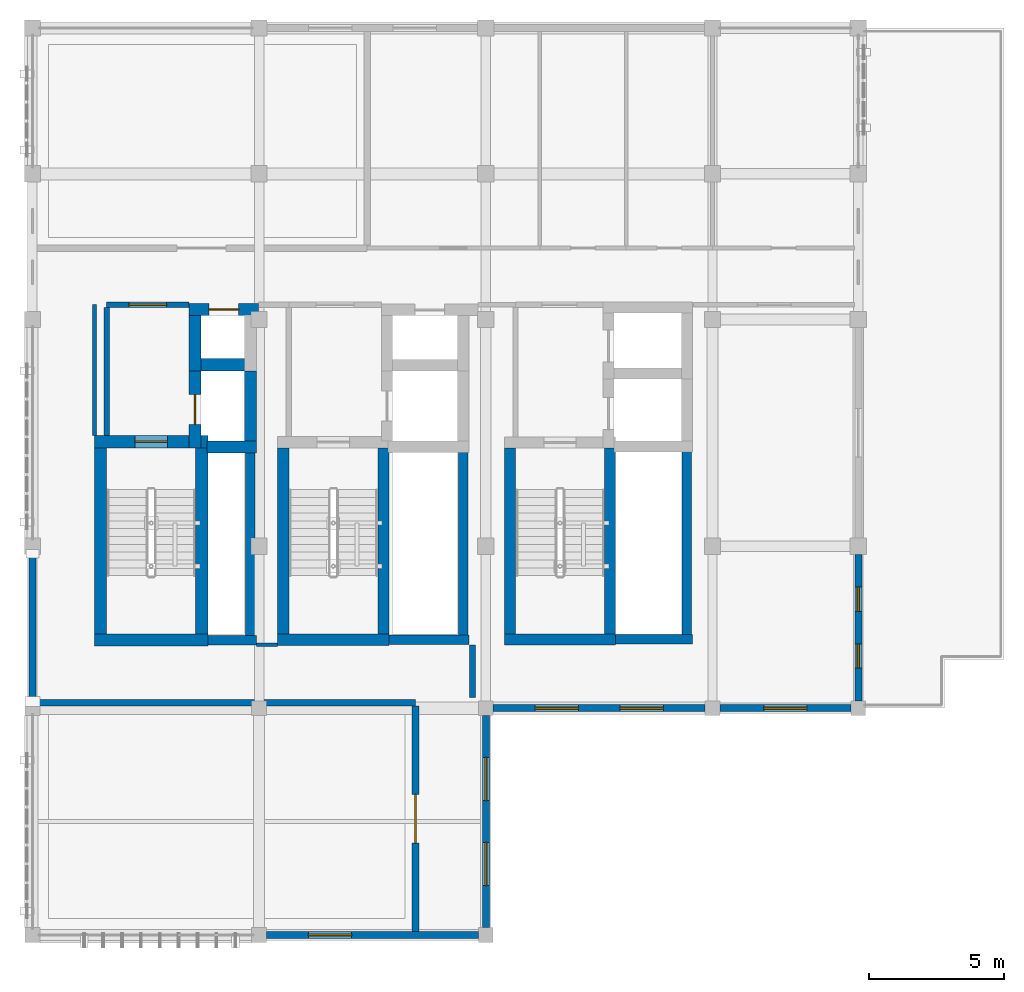
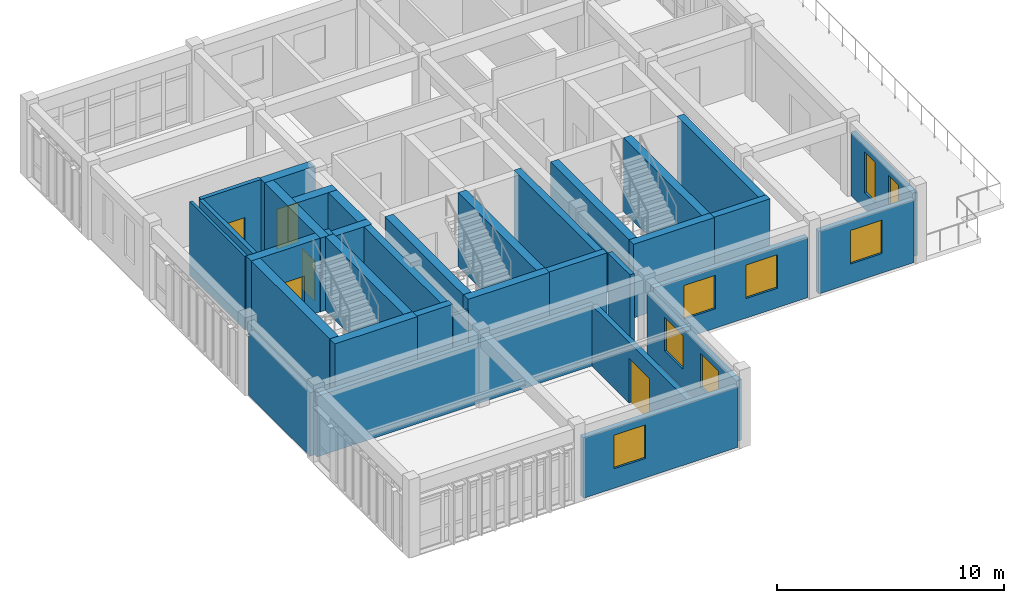
# One storey, part 17 of 21: 35 walls, 8 windows, 5 doors, 13 openings.
"""IFC4 building model written with IfcOpenShell, lengths in metres."""

from ifc_helpers import new_model, si_unit, direction, frame, frame_2d, origin, place, context, subcontext, project, spatial, rectangle, extrude, material, layer, layer_set, type_object, element, fill, save


model = new_model("IFC4")

# Units and contexts
model_context = context("Model", 3, precision=1e-05, world=origin(), true_north=direction((0.0, 1.0)))
body_context = subcontext(model_context, "Body", "Model", "MODEL_VIEW")
ifc_project = project(units=[si_unit("LENGTHUNIT", "METRE"), si_unit("AREAUNIT", "SQUARE_METRE"), si_unit("VOLUMEUNIT", "CUBIC_METRE"), si_unit("PLANEANGLEUNIT", "RADIAN"), si_unit("MASSUNIT", "GRAM", prefix="KILO")], contexts=[model_context])

# Site, building, storey
site_placement = place(None, origin())
site = spatial("IfcSite", under=ifc_project, at=site_placement, CompositionType="ELEMENT")
building_placement = place(site_placement, origin())
building = spatial("IfcBuilding", under=site, at=building_placement, Name="Krzemoval Escarpment Law Courts", CompositionType="ELEMENT")
storey_placement = place(building_placement, frame((0.0, 0.0, 37.800048828125)))
storey = spatial("IfcBuildingStorey", under=building, at=storey_placement, Name="L08", CompositionType="ELEMENT", Elevation=37.800048828125)

# Wall, opening, window
ifc_material_1 = material(Name="Precast concrete C40/50", Category="concrete")
ifc_layer_1 = layer(ifc_material_1, 0.260009765625)
ifc_layer_set_1 = layer_set([ifc_layer_1], Name="Precast concrete C40/50")
wall_type_1 = type_object("IfcWallType", Name="WL-EXT-260", PredefinedType="SOLIDWALL", material=ifc_layer_set_1)
wall_1_placement = place(storey_placement, frame((142.52490234375, 85.199951171875, 0.0), z_axis=(0.0, 0.0, 1.0), x_axis=(-1.0, 0.0, 0.0)))
wall_1 = element("IfcWall", 1, at=wall_1_placement, inside=storey, type_object=wall_type_1, Name="Exterior Wall EW-L08-0467", PredefinedType="SOLIDWALL", context=body_context, shape_type="SweptSolid", body=[
    extrude(rectangle(XDim=7.849853515625, YDim=0.260009765625, at=frame_2d((3.9248046875, 0.0))), origin(), (0.0, 0.0, 1.0), 3.260009765625),
])
opening_1_placement = place(wall_1_placement, frame((4.699951171875, 0.0, 1.050048828125)))
opening_1 = element("IfcOpeningElement", 2, at=opening_1_placement, cuts=wall_1, Name="Opening WN-L08-0546", PredefinedType="OPENING", context=body_context, shape_type="SweptSolid", body=[
    extrude(rectangle(XDim=1.60009765625, YDim=1.800048828125, at=frame_2d((0.800048828125, 0.89990234375))), frame((0.0, 0.145, 0.0), z_axis=(0.0, -1.0, 0.0), x_axis=(1.0, 0.0, 0.0)), (0.0, 0.0, 1.0), 0.29001),
])
ifc_material_2 = material(Name="Thermally Broken Aluminium Frame with Triple Low-E Acoustic Glass", Category="aluminium")
window_type_1 = type_object("IfcWindowType", Name="WN-1600x1800", PartitioningType="SINGLE_PANEL", PredefinedType="WINDOW", material=ifc_material_2)
window_1_placement = place(opening_1_placement, origin())
window_1 = element("IfcWindow", 3, at=window_1_placement, inside=storey, type_object=window_type_1, Name="Facade Window WN-L08-0546", OverallHeight=1.800048828125, OverallWidth=1.60009765625, PartitioningType="SINGLE_PANEL", PredefinedType="WINDOW", context=body_context, shape_type="SweptSolid", body=[
    extrude(rectangle(XDim=1.60009765625, YDim=1.800048828125, at=frame_2d((0.800048828125, 0.89990234375))), frame((0.0, 0.030029296875, 0.0), z_axis=(0.0, -1.0, 0.0), x_axis=(1.0, 0.0, 0.0)), (0.0, 0.0, 1.0), 0.06005859375),
])
fill(opening_1, window_1)

# Wall
wall_2_placement = place(storey_placement, frame((126.0, 93.875, 0.0), z_axis=(0.0, 0.0, 1.0), x_axis=(0.0, 1.0, 0.0)))
element("IfcWall", 4, at=wall_2_placement, inside=storey, type_object=wall_type_1, Name="Exterior Wall EW-L08-0468", PredefinedType="SOLIDWALL", context=body_context, shape_type="SweptSolid", body=[
    extrude(rectangle(XDim=5.425048828125, YDim=0.260009765625, at=frame_2d((2.71240234375, 0.0))), origin(), (0.0, 0.0, 1.0), 3.409912109375),
])

# Wall, openings, windows
wall_3_placement = place(storey_placement, frame((156.60009765625, 99.300048828125, 0.0), z_axis=(0.0, 0.0, 1.0), x_axis=(0.0, -1.0, 0.0)))
wall_3 = element("IfcWall", 5, at=wall_3_placement, inside=storey, type_object=wall_type_1, Name="Exterior Wall EW-L08-0474", PredefinedType="SOLIDWALL", context=body_context, shape_type="SweptSolid", body=[
    extrude(rectangle(XDim=5.425048828125, YDim=0.260009765625, at=frame_2d((2.71240234375, 0.0))), origin(), (0.0, 0.0, 1.0), 3.409912109375),
])
opening_2_placement = place(wall_3_placement, frame((1.2080078125, 0.0, 0.89990234375)))
opening_2 = element("IfcOpeningElement", 6, at=opening_2_placement, cuts=wall_3, Name="Opening WN-L08-0553", PredefinedType="OPENING", context=body_context, shape_type="SweptSolid", body=[
    extrude(rectangle(XDim=0.89990234375, YDim=2.199951171875, at=frame_2d((0.449951171875, 1.10009765625))), frame((0.0, 0.145, 0.0), z_axis=(0.0, -1.0, 0.0), x_axis=(1.0, 0.0, 0.0)), (0.0, 0.0, 1.0), 0.29001),
])
opening_3_placement = place(wall_3_placement, frame((3.31689453125, 0.0, 0.89990234375)))
opening_3 = element("IfcOpeningElement", 7, at=opening_3_placement, cuts=wall_3, Name="Opening WN-L08-0554", PredefinedType="OPENING", context=body_context, shape_type="SweptSolid", body=[
    extrude(rectangle(XDim=0.89990234375, YDim=2.199951171875, at=frame_2d((0.449951171875, 1.10009765625))), frame((0.0, 0.145, 0.0), z_axis=(0.0, -1.0, 0.0), x_axis=(1.0, 0.0, 0.0)), (0.0, 0.0, 1.0), 0.29001),
])
ifc_material_3 = material(Name="Thermally Broken Aluminium Frame with Triple Low-E Acoustic Glass", Category="aluminium")
window_type_2 = type_object("IfcWindowType", Name="WN-900x2200", PartitioningType="SINGLE_PANEL", PredefinedType="WINDOW", material=ifc_material_3)
window_2_placement = place(opening_2_placement, origin())
window_2 = element("IfcWindow", 8, at=window_2_placement, inside=storey, type_object=window_type_2, Name="Facade Window WN-L08-0553", OverallHeight=2.199951171875, OverallWidth=0.89990234375, PartitioningType="SINGLE_PANEL", PredefinedType="WINDOW", context=body_context, shape_type="SweptSolid", body=[
    extrude(rectangle(XDim=0.89990234375, YDim=2.199951171875, at=frame_2d((0.449951171875, 1.10009765625))), frame((0.0, 0.030029296875, 0.0), z_axis=(0.0, -1.0, 0.0), x_axis=(1.0, 0.0, 0.0)), (0.0, 0.0, 1.0), 0.06005859375),
])
fill(opening_2, window_2)
window_3_placement = place(opening_3_placement, origin())
window_3 = element("IfcWindow", 9, at=window_3_placement, inside=storey, type_object=window_type_2, Name="Facade Window WN-L08-0554", OverallHeight=2.199951171875, OverallWidth=0.89990234375, PartitioningType="SINGLE_PANEL", PredefinedType="WINDOW", context=body_context, shape_type="SweptSolid", body=[
    extrude(rectangle(XDim=0.89990234375, YDim=2.199951171875, at=frame_2d((0.449951171875, 1.10009765625))), frame((0.0, 0.030029296875, 0.0), z_axis=(0.0, -1.0, 0.0), x_axis=(1.0, 0.0, 0.0)), (0.0, 0.0, 1.0), 0.06005859375),
])
fill(opening_3, window_3)

# Wall, opening, window
wall_4_placement = place(storey_placement, frame((156.324951171875, 93.60009765625, 0.0), z_axis=(0.0, 0.0, 1.0), x_axis=(-1.0, 0.0, 0.0)))
wall_4 = element("IfcWall", 10, at=wall_4_placement, inside=storey, type_object=wall_type_1, Name="Exterior Wall EW-L08-0475", PredefinedType="SOLIDWALL", context=body_context, shape_type="SweptSolid", body=[
    extrude(rectangle(XDim=4.849853515625, YDim=0.260009765625, at=frame_2d((2.4248046875, 0.0))), origin(), (0.0, 0.0, 1.0), 3.35986328125),
])
opening_4_placement = place(wall_4_placement, frame((1.625, 0.0, 1.050048828125)))
opening_4 = element("IfcOpeningElement", 11, at=opening_4_placement, cuts=wall_4, Name="Opening WN-L08-0555", PredefinedType="OPENING", context=body_context, shape_type="SweptSolid", body=[
    extrude(rectangle(XDim=1.60009765625, YDim=1.800048828125, at=frame_2d((0.800048828125, 0.89990234375))), frame((0.0, 0.145, 0.0), z_axis=(0.0, -1.0, 0.0), x_axis=(1.0, 0.0, 0.0)), (0.0, 0.0, 1.0), 0.29001),
])
window_4_placement = place(opening_4_placement, origin())
window_4 = element("IfcWindow", 12, at=window_4_placement, inside=storey, type_object=window_type_1, Name="Facade Window WN-L08-0555", OverallHeight=1.800048828125, OverallWidth=1.60009765625, PartitioningType="SINGLE_PANEL", PredefinedType="WINDOW", context=body_context, shape_type="SweptSolid", body=[
    extrude(rectangle(XDim=1.60009765625, YDim=1.800048828125, at=frame_2d((0.800048828125, 0.89990234375))), frame((0.0, 0.030029296875, 0.0), z_axis=(0.0, -1.0, 0.0), x_axis=(1.0, 0.0, 0.0)), (0.0, 0.0, 1.0), 0.06005859375),
])
fill(opening_4, window_4)

# Wall, openings, windows
wall_5_placement = place(storey_placement, frame((150.925048828125, 93.60009765625, 0.0), z_axis=(0.0, 0.0, 1.0), x_axis=(-1.0, 0.0, 0.0)))
wall_5 = element("IfcWall", 13, at=wall_5_placement, inside=storey, type_object=wall_type_1, Name="Exterior Wall EW-L08-0476", PredefinedType="SOLIDWALL", context=body_context, shape_type="SweptSolid", body=[
    extrude(rectangle(XDim=7.85009765625, YDim=0.260009765625, at=frame_2d((3.925048828125, 0.0))), origin(), (0.0, 0.0, 1.0), 3.260009765625),
])
opening_5_placement = place(wall_5_placement, frame((1.550048828125, 0.0, 1.050048828125)))
opening_5 = element("IfcOpeningElement", 14, at=opening_5_placement, cuts=wall_5, Name="Opening WN-L08-0556", PredefinedType="OPENING", context=body_context, shape_type="SweptSolid", body=[
    extrude(rectangle(XDim=1.60009765625, YDim=1.800048828125, at=frame_2d((0.800048828125, 0.89990234375))), frame((0.0, 0.145, 0.0), z_axis=(0.0, -1.0, 0.0), x_axis=(1.0, 0.0, 0.0)), (0.0, 0.0, 1.0), 0.29001),
])
opening_6_placement = place(wall_5_placement, frame((4.699951171875, 0.0, 1.050048828125)))
opening_6 = element("IfcOpeningElement", 15, at=opening_6_placement, cuts=wall_5, Name="Opening WN-L08-0557", PredefinedType="OPENING", context=body_context, shape_type="SweptSolid", body=[
    extrude(rectangle(XDim=1.60009765625, YDim=1.800048828125, at=frame_2d((0.800048828125, 0.89990234375))), frame((0.0, 0.145, 0.0), z_axis=(0.0, -1.0, 0.0), x_axis=(1.0, 0.0, 0.0)), (0.0, 0.0, 1.0), 0.29001),
])
window_5_placement = place(opening_5_placement, origin())
window_5 = element("IfcWindow", 16, at=window_5_placement, inside=storey, type_object=window_type_1, Name="Facade Window WN-L08-0556", OverallHeight=1.800048828125, OverallWidth=1.60009765625, PartitioningType="SINGLE_PANEL", PredefinedType="WINDOW", context=body_context, shape_type="SweptSolid", body=[
    extrude(rectangle(XDim=1.60009765625, YDim=1.800048828125, at=frame_2d((0.800048828125, 0.89990234375))), frame((0.0, 0.030029296875, 0.0), z_axis=(0.0, -1.0, 0.0), x_axis=(1.0, 0.0, 0.0)), (0.0, 0.0, 1.0), 0.06005859375),
])
fill(opening_5, window_5)
window_6_placement = place(opening_6_placement, origin())
window_6 = element("IfcWindow", 17, at=window_6_placement, inside=storey, type_object=window_type_1, Name="Facade Window WN-L08-0557", OverallHeight=1.800048828125, OverallWidth=1.60009765625, PartitioningType="SINGLE_PANEL", PredefinedType="WINDOW", context=body_context, shape_type="SweptSolid", body=[
    extrude(rectangle(XDim=1.60009765625, YDim=1.800048828125, at=frame_2d((0.800048828125, 0.89990234375))), frame((0.0, 0.030029296875, 0.0), z_axis=(0.0, -1.0, 0.0), x_axis=(1.0, 0.0, 0.0)), (0.0, 0.0, 1.0), 0.06005859375),
])
fill(opening_6, window_6)

wall_6_placement = place(storey_placement, frame((142.800048828125, 93.324951171875, 0.0), z_axis=(0.0, 0.0, 1.0), x_axis=(0.0, -1.0, 0.0)))
wall_6 = element("IfcWall", 18, at=wall_6_placement, inside=storey, type_object=wall_type_1, Name="Exterior Wall EW-L08-0477", PredefinedType="SOLIDWALL", context=body_context, shape_type="SweptSolid", body=[
    extrude(rectangle(XDim=7.849853515625, YDim=0.260009765625, at=frame_2d((3.9248046875, 0.0))), origin(), (0.0, 0.0, 1.0), 3.260009765625),
])
opening_7_placement = place(wall_6_placement, frame((1.550048828125, 0.0, 1.050048828125)))
opening_7 = element("IfcOpeningElement", 19, at=opening_7_placement, cuts=wall_6, Name="Opening WN-L08-0558", PredefinedType="OPENING", context=body_context, shape_type="SweptSolid", body=[
    extrude(rectangle(XDim=1.60009765625, YDim=1.800048828125, at=frame_2d((0.800048828125, 0.89990234375))), frame((0.0, 0.145, 0.0), z_axis=(0.0, -1.0, 0.0), x_axis=(1.0, 0.0, 0.0)), (0.0, 0.0, 1.0), 0.29001),
])
opening_8_placement = place(wall_6_placement, frame((4.699951171875, 0.0, 1.050048828125)))
opening_8 = element("IfcOpeningElement", 20, at=opening_8_placement, cuts=wall_6, Name="Opening WN-L08-0559", PredefinedType="OPENING", context=body_context, shape_type="SweptSolid", body=[
    extrude(rectangle(XDim=1.60009765625, YDim=1.800048828125, at=frame_2d((0.800048828125, 0.89990234375))), frame((0.0, 0.145, 0.0), z_axis=(0.0, -1.0, 0.0), x_axis=(1.0, 0.0, 0.0)), (0.0, 0.0, 1.0), 0.29001),
])
window_7_placement = place(opening_7_placement, origin())
window_7 = element("IfcWindow", 21, at=window_7_placement, inside=storey, type_object=window_type_1, Name="Facade Window WN-L08-0558", OverallHeight=1.800048828125, OverallWidth=1.60009765625, PartitioningType="SINGLE_PANEL", PredefinedType="WINDOW", context=body_context, shape_type="SweptSolid", body=[
    extrude(rectangle(XDim=1.60009765625, YDim=1.800048828125, at=frame_2d((0.800048828125, 0.89990234375))), frame((0.0, 0.030029296875, 0.0), z_axis=(0.0, -1.0, 0.0), x_axis=(1.0, 0.0, 0.0)), (0.0, 0.0, 1.0), 0.06005859375),
])
fill(opening_7, window_7)
window_8_placement = place(opening_8_placement, origin())
window_8 = element("IfcWindow", 22, at=window_8_placement, inside=storey, type_object=window_type_1, Name="Facade Window WN-L08-0559", OverallHeight=1.800048828125, OverallWidth=1.60009765625, PartitioningType="SINGLE_PANEL", PredefinedType="WINDOW", context=body_context, shape_type="SweptSolid", body=[
    extrude(rectangle(XDim=1.60009765625, YDim=1.800048828125, at=frame_2d((0.800048828125, 0.89990234375))), frame((0.0, 0.030029296875, 0.0), z_axis=(0.0, -1.0, 0.0), x_axis=(1.0, 0.0, 0.0)), (0.0, 0.0, 1.0), 0.06005859375),
])
fill(opening_8, window_8)

# Walls
ifc_material_4 = material(Name="Sanitary Moisture-Resistant Partition", Category="gypsum")
ifc_layer_2 = layer(ifc_material_4, 0.139892578125)
ifc_layer_set_2 = layer_set([ifc_layer_2], Name="Sanitary Moisture-Resistant Partition")
wall_type_2 = type_object("IfcWallType", Name="WL-PRT-140", PredefinedType="PARTITIONING", material=ifc_layer_set_2)
wall_7_placement = place(storey_placement, frame((134.300048828125, 95.949951171875, 0.0), z_axis=(0.0, 0.0, 1.0), x_axis=(1.0, 0.0, 0.0)))
element("IfcWall", 23, at=wall_7_placement, inside=storey, type_object=wall_type_2, Name="Interior Partition PW-L08-0719", PredefinedType="PARTITIONING", context=body_context, shape_type="SweptSolid", body=[
    extrude(rectangle(XDim=0.780029296875, YDim=0.139892578125, at=frame_2d((0.39013671875, 0.0))), origin(), (0.0, 0.0, 1.0), 3.409912109375),
])
wall_8_placement = place(storey_placement, frame((128.300048828125, 103.701904296875, 0.0), z_axis=(0.0, 0.0, 1.0), x_axis=(0.0, 1.0, 0.0)))
element("IfcWall", 24, at=wall_8_placement, inside=storey, type_object=wall_type_2, Name="Interior Partition PW-L08-0731", PredefinedType="PARTITIONING", context=body_context, shape_type="SweptSolid", body=[
    extrude(rectangle(XDim=4.84814453125, YDim=0.139892578125, at=frame_2d((2.424072265625, 0.0))), origin(), (0.0, 0.0, 1.0), 3.9599609375),
])

# Wall, opening, door
ifc_material_5 = material(Name="Fire-Rated Corridor Partition Wall", Category="gypsum")
ifc_layer_3 = layer(ifc_material_5, 0.199951171875)
ifc_layer_set_3 = layer_set([ifc_layer_3], Name="Fire-Rated Corridor Partition Wall")
wall_type_3 = type_object("IfcWallType", Name="WL-PRT-200", PredefinedType="PARTITIONING", material=ifc_layer_set_3)
wall_9_placement = place(storey_placement, frame((128.75, 108.550048828125, 0.0), z_axis=(0.0, 0.0, 1.0), x_axis=(1.0, 0.0, 0.0)))
wall_9 = element("IfcWall", 25, at=wall_9_placement, inside=storey, type_object=wall_type_3, Name="Interior Partition PW-L08-0720", PredefinedType="PARTITIONING", context=body_context, shape_type="SweptSolid", body=[
    extrude(rectangle(XDim=3.050048828125, YDim=0.199951171875, at=frame_2d((1.52490234375, 0.0))), origin(), (0.0, 0.0, 1.0), 3.9599609375),
])
opening_9_placement = place(wall_9_placement, frame((0.824951171875, 0.0, 0.0)))
opening_9 = element("IfcOpeningElement", 26, at=opening_9_placement, cuts=wall_9, Name="Opening D-L08-0251", PredefinedType="OPENING", context=body_context, shape_type="SweptSolid", body=[
    extrude(rectangle(XDim=1.39990234375, YDim=2.199951171875, at=frame_2d((0.699951171875, 1.10009765625))), frame((0.0, 0.11498, 0.0), z_axis=(0.0, -1.0, 0.0), x_axis=(1.0, 0.0, 0.0)), (0.0, 0.0, 1.0), 0.22995),
])
ifc_material_6 = material(Name="Galvanised Steel S355", Category="steel")
door_type_1 = type_object("IfcDoorType", Name="DR-FFL-1400x2200", OperationType="SINGLE_SWING_LEFT", PredefinedType="DOOR", material=ifc_material_6)
door_1_placement = place(opening_9_placement, origin())
door_1 = element("IfcDoor", 27, at=door_1_placement, inside=storey, type_object=door_type_1, Name="Room Door D-L08-0251", OperationType="SINGLE_SWING_LEFT", OverallHeight=2.199951171875, OverallWidth=1.39990234375, PredefinedType="DOOR", context=body_context, shape_type="SweptSolid", body=[
    extrude(rectangle(XDim=1.39990234375, YDim=2.199951171875, at=frame_2d((0.699951171875, 1.10009765625))), frame((0.0, 0.02490234375, 0.0), z_axis=(0.0, -1.0, 0.0), x_axis=(1.0, 0.0, 0.0)), (0.0, 0.0, 1.0), 0.050048828125),
])
fill(opening_9, door_1)

# Walls
wall_10_placement = place(storey_placement, frame((128.75, 103.701904296875, 0.0), z_axis=(0.0, 0.0, 1.0), x_axis=(0.0, 1.0, 0.0)))
element("IfcWall", 28, at=wall_10_placement, inside=storey, type_object=wall_type_3, Name="Interior Partition PW-L08-0732", PredefinedType="PARTITIONING", context=body_context, shape_type="SweptSolid", body=[
    extrude(rectangle(XDim=4.74609375, YDim=0.199951171875, at=frame_2d((2.373046875, 0.0))), origin(), (0.0, 0.0, 1.0), 3.9599609375),
])
ifc_material_7 = material(Name="Solid Calcium-Silicate Custody Blockwork Partition", Category="masonry")
ifc_layer_4 = layer(ifc_material_7, 0.219970703125)
ifc_layer_set_4 = layer_set([ifc_layer_4], Name="Solid Calcium-Silicate Custody Blockwork Partition")
wall_type_4 = type_object("IfcWallType", Name="WL-PRT-220", PredefinedType="PARTITIONING", material=ifc_layer_set_4)
wall_11_placement = place(storey_placement, frame((142.300048828125, 94.0, 0.0), z_axis=(0.0, 0.0, 1.0), x_axis=(0.0, 1.0, 0.0)))
element("IfcWall", 29, at=wall_11_placement, inside=storey, type_object=wall_type_4, Name="Interior Partition PW-L08-0736", PredefinedType="PARTITIONING", context=body_context, shape_type="SweptSolid", body=[
    extrude(rectangle(XDim=1.949951171875, YDim=0.219970703125, at=frame_2d((0.97509765625, 0.0))), origin(), (0.0, 0.0, 1.0), 3.9599609375),
])
ifc_material_8 = material(Name="Acoustic Courtroom Partition Assembly", Category="gypsum")
ifc_layer_5 = layer(ifc_material_8, 0.239990234375)
ifc_layer_set_5 = layer_set([ifc_layer_5], Name="Acoustic Courtroom Partition Assembly")
wall_type_5 = type_object("IfcWallType", Name="WL-PRT-240", PredefinedType="PARTITIONING", material=ifc_layer_set_5)
wall_12_placement = place(storey_placement, frame((126.111083984375, 93.800048828125, 0.0), z_axis=(0.0, 0.0, 1.0), x_axis=(1.0, 0.0, 0.0)))
element("IfcWall", 30, at=wall_12_placement, inside=storey, type_object=wall_type_5, Name="Interior Partition PW-L08-0718", PredefinedType="PARTITIONING", context=body_context, shape_type="SweptSolid", body=[
    extrude(rectangle(XDim=14.0888671875, YDim=0.239990234375, at=frame_2d((7.04443359375, 0.0))), origin(), (0.0, 0.0, 1.0), 3.260009765625),
])

# Wall, opening, door
ifc_material_9 = material(Name="Acoustic Double-Stud Gypsum and Mineral Wool Wall", Category="gypsum")
ifc_layer_6 = layer(ifc_material_9, 0.260009765625)
ifc_layer_set_6 = layer_set([ifc_layer_6], Name="Acoustic Double-Stud Gypsum and Mineral Wool Wall")
wall_type_6 = type_object("IfcWallType", Name="WL-PRT-260", PredefinedType="PARTITIONING", material=ifc_layer_set_6)
wall_13_placement = place(storey_placement, frame((140.199951171875, 85.33203125, 0.0), z_axis=(0.0, 0.0, 1.0), x_axis=(0.0, 1.0, 0.0)))
wall_13 = element("IfcWall", 31, at=wall_13_placement, inside=storey, type_object=wall_type_6, Name="Interior Partition PW-L08-0735", PredefinedType="PARTITIONING", context=body_context, shape_type="SweptSolid", body=[
    extrude(rectangle(XDim=8.345947265625, YDim=0.260009765625, at=frame_2d((4.1728515625, 0.0))), origin(), (0.0, 0.0, 1.0), 3.260009765625),
])
opening_10_placement = place(wall_13_placement, frame((3.27294921875, 0.0, 0.0)))
opening_10 = element("IfcOpeningElement", 32, at=opening_10_placement, cuts=wall_13, Name="Opening D-L08-0254", PredefinedType="OPENING", context=body_context, shape_type="SweptSolid", body=[
    extrude(rectangle(XDim=1.800048828125, YDim=2.39990234375, at=frame_2d((0.89990234375, 1.199951171875))), frame((0.0, 0.145, 0.0), z_axis=(0.0, -1.0, 0.0), x_axis=(1.0, 0.0, 0.0)), (0.0, 0.0, 1.0), 0.29001),
])
ifc_material_10 = material(Name="Engineered Solid-Core Oak Acoustic Timber", Category="wood")
door_type_2 = type_object("IfcDoorType", Name="DR-CRT-1800x2400", OperationType="SINGLE_SWING_LEFT", PredefinedType="DOOR", material=ifc_material_10)
door_2_placement = place(opening_10_placement, origin())
door_2 = element("IfcDoor", 33, at=door_2_placement, inside=storey, type_object=door_type_2, Name="Room Door D-L08-0254", OperationType="SINGLE_SWING_LEFT", OverallHeight=2.39990234375, OverallWidth=1.800048828125, PredefinedType="DOOR", context=body_context, shape_type="SweptSolid", body=[
    extrude(rectangle(XDim=1.800048828125, YDim=2.39990234375, at=frame_2d((0.89990234375, 1.199951171875))), frame((0.0, 0.02490234375, 0.0), z_axis=(0.0, -1.0, 0.0), x_axis=(1.0, 0.0, 0.0)), (0.0, 0.0, 1.0), 0.050048828125),
])
fill(opening_10, door_2)

# Walls
ifc_material_11 = material(Name="Concrete C40/50", Category="concrete")
ifc_layer_7 = layer(ifc_material_11, 0.35009765625)
ifc_layer_set_7 = layer_set([ifc_layer_7], Name="Concrete C40/50")
wall_type_7 = type_object("IfcWallType", Name="WL-SHW-350", PredefinedType="SHEAR", material=ifc_layer_set_7)
wall_14_placement = place(storey_placement, frame((132.5, 96.125, 0.0), z_axis=(0.0, 0.0, 1.0), x_axis=(1.0, 0.0, 0.0)))
element("IfcWall", 34, at=wall_14_placement, inside=storey, type_object=wall_type_7, Name="Riser Shaft Wall SW-L08-0129", PredefinedType="SHEAR", context=body_context, shape_type="SweptSolid", body=[
    extrude(rectangle(XDim=1.800048828125, YDim=0.35009765625, at=frame_2d((0.89990234375, 0.0))), origin(), (0.0, 0.0, 1.0), 3.9599609375),
])
wall_15_placement = place(storey_placement, frame((134.074951171875, 96.294921875, 0.0), z_axis=(0.0, 0.0, 1.0), x_axis=(0.0, 1.0, 0.0)))
element("IfcWall", 35, at=wall_15_placement, inside=storey, type_object=wall_type_7, Name="Riser Shaft Wall SW-L08-0130", PredefinedType="SHEAR", context=body_context, shape_type="SweptSolid", body=[
    extrude(rectangle(XDim=7.212158203125, YDim=0.35009765625, at=frame_2d((3.60595703125, 0.0))), origin(), (0.0, 0.0, 1.0), 3.9599609375),
])
wall_16_placement = place(storey_placement, frame((139.219970703125, 96.139892578125, 0.0), z_axis=(0.0, 0.0, 1.0), x_axis=(1.0, 0.0, 0.0)))
element("IfcWall", 36, at=wall_16_placement, inside=storey, type_object=wall_type_7, Name="Riser Shaft Wall SW-L08-0279", PredefinedType="SHEAR", context=body_context, shape_type="SweptSolid", body=[
    extrude(rectangle(XDim=2.949951171875, YDim=0.35009765625, at=frame_2d((1.47509765625, 0.0))), origin(), (0.0, 0.0, 1.0), 3.9599609375),
])
wall_17_placement = place(storey_placement, frame((141.9599609375, 96.31005859375, 0.0), z_axis=(0.0, 0.0, 1.0), x_axis=(0.0, 1.0, 0.0)))
element("IfcWall", 37, at=wall_17_placement, inside=storey, type_object=wall_type_7, Name="Riser Shaft Wall SW-L08-0280", PredefinedType="SHEAR", context=body_context, shape_type="SweptSolid", body=[
    extrude(rectangle(XDim=7.197021484375, YDim=0.35009765625, at=frame_2d((3.5986328125, 0.0))), origin(), (0.0, 0.0, 1.0), 3.9599609375),
])
wall_18_placement = place(storey_placement, frame((147.60009765625, 96.14990234375, 0.0), z_axis=(0.0, 0.0, 1.0), x_axis=(1.0, 0.0, 0.0)))
element("IfcWall", 38, at=wall_18_placement, inside=storey, type_object=wall_type_7, Name="Riser Shaft Wall SW-L08-0429", PredefinedType="SHEAR", context=body_context, shape_type="SweptSolid", body=[
    extrude(rectangle(XDim=2.849853515625, YDim=0.35009765625, at=frame_2d((1.4248046875, 0.0))), origin(), (0.0, 0.0, 1.0), 3.9599609375),
])
wall_19_placement = place(storey_placement, frame((150.25, 96.320068359375, 0.0), z_axis=(0.0, 0.0, 1.0), x_axis=(0.0, 1.0, 0.0)))
element("IfcWall", 39, at=wall_19_placement, inside=storey, type_object=wall_type_7, Name="Riser Shaft Wall SW-L08-0430", PredefinedType="SHEAR", context=body_context, shape_type="SweptSolid", body=[
    extrude(rectangle(XDim=7.18701171875, YDim=0.35009765625, at=frame_2d((3.593505859375, 0.0))), origin(), (0.0, 0.0, 1.0), 3.9599609375),
])
ifc_material_12 = material(Name="Concrete C40/50", Category="concrete")
ifc_layer_8 = layer(ifc_material_12, 0.39990234375)
ifc_layer_set_8 = layer_set([ifc_layer_8], Name="Concrete C40/50")
wall_type_8 = type_object("IfcWallType", Name="WL-SHW-400", PredefinedType="SHEAR", material=ifc_layer_set_8)
wall_20_placement = place(storey_placement, frame((143.5, 96.14990234375, 0.0), z_axis=(0.0, 0.0, 1.0), x_axis=(1.0, 0.0, 0.0)))
element("IfcWall", 40, at=wall_20_placement, inside=storey, type_object=wall_type_8, Name="Core Stair Shear Wall SW-L08-0419", PredefinedType="SHEAR", context=body_context, shape_type="SweptSolid", body=[
    extrude(rectangle(XDim=4.10009765625, YDim=0.39990234375, at=frame_2d((2.050048828125, 0.0))), origin(), (0.0, 0.0, 1.0), 3.9599609375),
])
for number, where, z_axis, x_axis, name in (
    (41, (143.699951171875, 96.35205078125, 0.0), (0.0, 0.0, 1.0), (0.0, 1.0, 0.0), "Core Stair Shear Wall SW-L08-0420"),
    (42, (147.39990234375, 96.35205078125, 0.0), (0.0, 0.0, 1.0), (0.0, 1.0, 0.0), "Core Stair Shear Wall SW-L08-0421"),
):
    element("IfcWall", number, at=place(storey_placement, frame(where, z_axis=z_axis, x_axis=x_axis)), inside=storey, type_object=wall_type_8, Name=name, PredefinedType="SHEAR", context=body_context, shape_type="SweptSolid", body=[
        extrude(rectangle(XDim=6.89599609375, YDim=0.39990234375, at=frame_2d((3.447998046875, 0.0))), origin(), (0.0, 0.0, 1.0), 3.9599609375),
    ])
ifc_material_13 = material(Name="Concrete C40/50", Category="concrete")
ifc_layer_9 = layer(ifc_material_13, 0.419921875)
ifc_layer_set_9 = layer_set([ifc_layer_9], Name="Concrete C40/50")
wall_type_9 = type_object("IfcWallType", Name="WL-SHW-420", PredefinedType="SHEAR", material=ifc_layer_set_9)
wall_21_placement = place(storey_placement, frame((135.080078125, 96.139892578125, 0.0), z_axis=(0.0, 0.0, 1.0), x_axis=(1.0, 0.0, 0.0)))
element("IfcWall", 43, at=wall_21_placement, inside=storey, type_object=wall_type_9, Name="Core Stair Shear Wall SW-L08-0269", PredefinedType="SHEAR", context=body_context, shape_type="SweptSolid", body=[
    extrude(rectangle(XDim=4.139892578125, YDim=0.419921875, at=frame_2d((2.06982421875, 0.0))), origin(), (0.0, 0.0, 1.0), 3.9599609375),
])
for number, where, z_axis, x_axis, name in (
    (44, (135.2900390625, 96.35205078125, 0.0), (0.0, 0.0, 1.0), (0.0, 1.0, 0.0), "Core Stair Shear Wall SW-L08-0270"),
    (45, (139.010009765625, 96.35205078125, 0.0), (0.0, 0.0, 1.0), (0.0, 1.0, 0.0), "Core Stair Shear Wall SW-L08-0271"),
):
    element("IfcWall", number, at=place(storey_placement, frame(where, z_axis=z_axis, x_axis=x_axis)), inside=storey, type_object=wall_type_9, Name=name, PredefinedType="SHEAR", context=body_context, shape_type="SweptSolid", body=[
        extrude(rectangle(XDim=6.89599609375, YDim=0.419921875, at=frame_2d((3.447998046875, 0.0))), origin(), (0.0, 0.0, 1.0), 3.9599609375),
    ])

# Wall, opening, door
ifc_material_14 = material(Name="Concrete C40/50", Category="concrete")
ifc_layer_10 = layer(ifc_material_14, 0.449951171875)
ifc_layer_set_10 = layer_set([ifc_layer_10], Name="Concrete C40/50")
wall_type_10 = type_object("IfcWallType", Name="WL-SHW-450", PredefinedType="SHEAR", material=ifc_layer_set_10)
wall_22_placement = place(storey_placement, frame((128.300048828125, 103.47509765625, 0.0), z_axis=(0.0, 0.0, 1.0), x_axis=(1.0, 0.0, 0.0)))
wall_22 = element("IfcWall", 46, at=wall_22_placement, inside=storey, type_object=wall_type_10, Name="Core Stair Shear Wall SW-L08-0118", PredefinedType="SHEAR", context=body_context, shape_type="SweptSolid", body=[
    extrude(rectangle(XDim=4.199951171875, YDim=0.449951171875, at=frame_2d((2.10009765625, 0.0))), origin(), (0.0, 0.0, 1.0), 3.9599609375),
])
opening_11_placement = place(wall_22_placement, frame((1.5, 0.0, 0.0)))
opening_11 = element("IfcOpeningElement", 47, at=opening_11_placement, cuts=wall_22, Name="Opening SD-ST1-L08", PredefinedType="OPENING", context=body_context, shape_type="SweptSolid", body=[
    extrude(rectangle(XDim=1.199951171875, YDim=2.199951171875, at=frame_2d((0.60009765625, 1.10009765625))), frame((0.0, 0.23998, 0.0), z_axis=(0.0, -1.0, 0.0), x_axis=(1.0, 0.0, 0.0)), (0.0, 0.0, 1.0), 0.47995),
])
ifc_material_15 = material(Name="Galvanised Steel S355", Category="steel")
door_type_3 = type_object("IfcDoorType", Name="DR-STR-1200x2200", OperationType="SINGLE_SWING_LEFT", PredefinedType="DOOR", material=ifc_material_15)
door_3_placement = place(opening_11_placement, origin())
door_3 = element("IfcDoor", 48, at=door_3_placement, inside=storey, type_object=door_type_3, Name="Stair Exit Door SD-ST1-L08", OperationType="SINGLE_SWING_LEFT", OverallHeight=2.199951171875, OverallWidth=1.199951171875, PredefinedType="DOOR", context=body_context, shape_type="SweptSolid", body=[
    extrude(rectangle(XDim=1.199951171875, YDim=2.199951171875, at=frame_2d((0.60009765625, 1.10009765625))), frame((0.0, 0.02490234375, 0.0), z_axis=(0.0, -1.0, 0.0), x_axis=(1.0, 0.0, 0.0)), (0.0, 0.0, 1.0), 0.050048828125),
])
fill(opening_11, door_3)

# Walls
wall_23_placement = place(storey_placement, frame((128.300048828125, 96.125, 0.0), z_axis=(0.0, 0.0, 1.0), x_axis=(1.0, 0.0, 0.0)))
element("IfcWall", 49, at=wall_23_placement, inside=storey, type_object=wall_type_10, Name="Core Stair Shear Wall SW-L08-0119", PredefinedType="SHEAR", context=body_context, shape_type="SweptSolid", body=[
    extrude(rectangle(XDim=4.199951171875, YDim=0.449951171875, at=frame_2d((2.10009765625, 0.0))), origin(), (0.0, 0.0, 1.0), 3.9599609375),
])
for number, where, z_axis, x_axis, name in (
    (50, (128.52490234375, 96.35205078125, 0.0), (0.0, 0.0, 1.0), (0.0, 1.0, 0.0), "Core Stair Shear Wall SW-L08-0120"),
    (51, (132.27490234375, 96.35205078125, 0.0), (0.0, 0.0, 1.0), (0.0, 1.0, 0.0), "Core Stair Shear Wall SW-L08-0121"),
):
    element("IfcWall", number, at=place(storey_placement, frame(where, z_axis=z_axis, x_axis=x_axis)), inside=storey, type_object=wall_type_10, Name=name, PredefinedType="SHEAR", context=body_context, shape_type="SweptSolid", body=[
        extrude(rectangle(XDim=6.89599609375, YDim=0.449951171875, at=frame_2d((3.447998046875, 0.0))), origin(), (0.0, 0.0, 1.0), 3.9599609375),
    ])
wall_24_placement = place(storey_placement, frame((132.468017578125, 103.27490234375, 0.0), z_axis=(0.0, 0.0, 1.0), x_axis=(1.0, 0.0, 0.0)))
element("IfcWall", 52, at=wall_24_placement, inside=storey, type_object=wall_type_10, Name="Lift Shaft Shear Wall SW-L08-0122", PredefinedType="SHEAR", context=body_context, shape_type="SweptSolid", body=[
    extrude(rectangle(XDim=1.83203125, YDim=0.449951171875, at=frame_2d((0.916015625, 0.0))), origin(), (0.0, 0.0, 1.0), 3.9599609375),
])
wall_25_placement = place(storey_placement, frame((131.800048828125, 106.324951171875, 0.0), z_axis=(0.0, 0.0, 1.0), x_axis=(1.0, 0.0, 0.0)))
element("IfcWall", 53, at=wall_25_placement, inside=storey, type_object=wall_type_10, Name="Lift Shaft Shear Wall SW-L08-0123", PredefinedType="SHEAR", context=body_context, shape_type="SweptSolid", body=[
    extrude(rectangle(XDim=2.5, YDim=0.449951171875, at=frame_2d((1.25, 0.0))), origin(), (0.0, 0.0, 1.0), 3.9599609375),
])

# Wall, opening, door
wall_26_placement = place(storey_placement, frame((132.02490234375, 103.241943359375, 0.0), z_axis=(0.0, 0.0, 1.0), x_axis=(0.0, 1.0, 0.0)))
wall_26 = element("IfcWall", 54, at=wall_26_placement, inside=storey, type_object=wall_type_10, Name="Lift Shaft Shear Wall SW-L08-0124", PredefinedType="SHEAR", context=body_context, shape_type="SweptSolid", body=[
    extrude(rectangle(XDim=2.85595703125, YDim=0.449951171875, at=frame_2d((1.427978515625, 0.0))), origin(), (0.0, 0.0, 1.0), 3.9599609375),
])
opening_12_placement = place(wall_26_placement, frame((0.8779296875, 0.0, 0.0)))
opening_12 = element("IfcOpeningElement", 55, at=opening_12_placement, cuts=wall_26, Name="Opening LD-FL1-L08", PredefinedType="OPENING", context=body_context, shape_type="SweptSolid", body=[
    extrude(rectangle(XDim=1.10009765625, YDim=2.14990234375, at=frame_2d((0.550048828125, 1.074951171875))), frame((0.0, 0.23998, 0.0), z_axis=(0.0, -1.0, 0.0), x_axis=(1.0, 0.0, 0.0)), (0.0, 0.0, 1.0), 0.47995),
])
ifc_material_16 = material(Name="Stainless Steel Grade 304", Category="steel")
door_type_4 = type_object("IfcDoorType", Name="DR-LFT-1100x2150", OperationType="SINGLE_SWING_LEFT", PredefinedType="DOOR", material=ifc_material_16)
door_4_placement = place(opening_12_placement, origin())
door_4 = element("IfcDoor", 56, at=door_4_placement, inside=storey, type_object=door_type_4, Name="Lift Landing Door LD-FL1-L08", OperationType="DOUBLE_DOOR_SLIDING", OverallHeight=2.14990234375, OverallWidth=1.10009765625, PredefinedType="DOOR", context=body_context, shape_type="SweptSolid", body=[
    extrude(rectangle(XDim=1.10009765625, YDim=2.14990234375, at=frame_2d((0.550048828125, 1.074951171875))), frame((0.0, 0.02490234375, 0.0), z_axis=(0.0, -1.0, 0.0), x_axis=(1.0, 0.0, 0.0)), (0.0, 0.0, 1.0), 0.050048828125),
])
fill(opening_12, door_4)

# Wall
wall_27_placement = place(storey_placement, frame((134.074951171875, 103.501953125, 0.0), z_axis=(0.0, 0.0, 1.0), x_axis=(0.0, 1.0, 0.0)))
element("IfcWall", 57, at=wall_27_placement, inside=storey, type_object=wall_type_10, Name="Lift Shaft Shear Wall SW-L08-0125", PredefinedType="SHEAR", context=body_context, shape_type="SweptSolid", body=[
    extrude(rectangle(XDim=2.595947265625, YDim=0.449951171875, at=frame_2d((1.2978515625, 0.0))), origin(), (0.0, 0.0, 1.0), 3.9599609375),
])

# Wall, opening, door
wall_28_placement = place(storey_placement, frame((131.800048828125, 108.375, 0.0), z_axis=(0.0, 0.0, 1.0), x_axis=(1.0, 0.0, 0.0)))
wall_28 = element("IfcWall", 58, at=wall_28_placement, inside=storey, type_object=wall_type_10, Name="Lift Shaft Shear Wall SW-L08-0126", PredefinedType="SHEAR", context=body_context, shape_type="SweptSolid", body=[
    extrude(rectangle(XDim=2.579833984375, YDim=0.449951171875, at=frame_2d((1.2900390625, 0.0))), origin(), (0.0, 0.0, 1.0), 3.9599609375),
])
opening_13_placement = place(wall_28_placement, frame((0.739990234375, 0.0, 0.0)))
opening_13 = element("IfcOpeningElement", 59, at=opening_13_placement, cuts=wall_28, Name="Opening LD-JL1-L08", PredefinedType="OPENING", context=body_context, shape_type="SweptSolid", body=[
    extrude(rectangle(XDim=1.10009765625, YDim=2.14990234375, at=frame_2d((0.550048828125, 1.074951171875))), frame((0.0, 0.23998, 0.0), z_axis=(0.0, -1.0, 0.0), x_axis=(1.0, 0.0, 0.0)), (0.0, 0.0, 1.0), 0.47995),
])
door_5_placement = place(opening_13_placement, origin())
door_5 = element("IfcDoor", 60, at=door_5_placement, inside=storey, type_object=door_type_4, Name="Lift Landing Door LD-JL1-L08", OperationType="DOUBLE_DOOR_SLIDING", OverallHeight=2.14990234375, OverallWidth=1.10009765625, PredefinedType="DOOR", context=body_context, shape_type="SweptSolid", body=[
    extrude(rectangle(XDim=1.10009765625, YDim=2.14990234375, at=frame_2d((0.550048828125, 1.074951171875))), frame((0.0, 0.02490234375, 0.0), z_axis=(0.0, -1.0, 0.0), x_axis=(1.0, 0.0, 0.0)), (0.0, 0.0, 1.0), 0.050048828125),
])
fill(opening_13, door_5)

# Wall
wall_29_placement = place(storey_placement, frame((132.02490234375, 106.093017578125, 0.0), z_axis=(0.0, 0.0, 1.0), x_axis=(0.0, 1.0, 0.0)))
element("IfcWall", 61, at=wall_29_placement, inside=storey, type_object=wall_type_10, Name="Lift Shaft Shear Wall SW-L08-0127", PredefinedType="SHEAR", context=body_context, shape_type="SweptSolid", body=[
    extrude(rectangle(XDim=2.054931640625, YDim=0.449951171875, at=frame_2d((1.02734375, 0.0))), origin(), (0.0, 0.0, 1.0), 3.9599609375),
])

save(model, "model.ifc")
